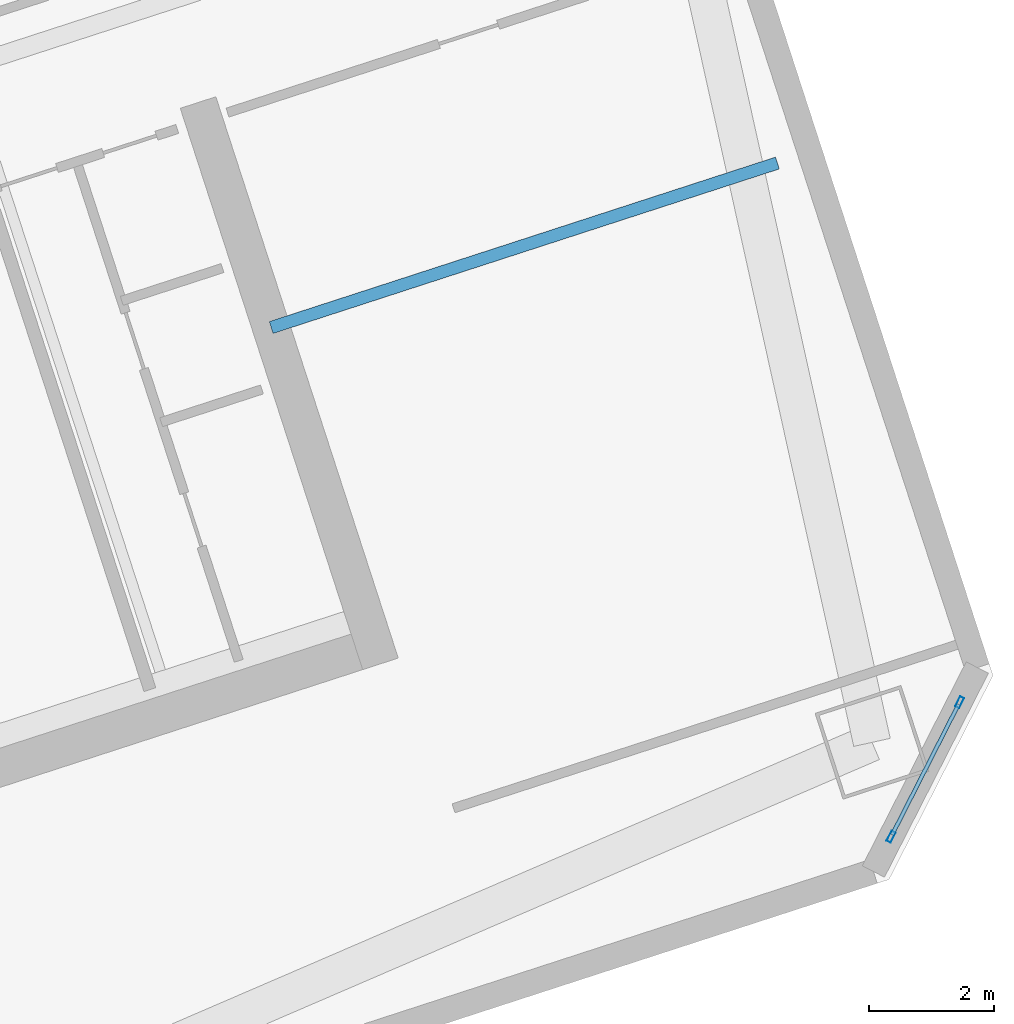
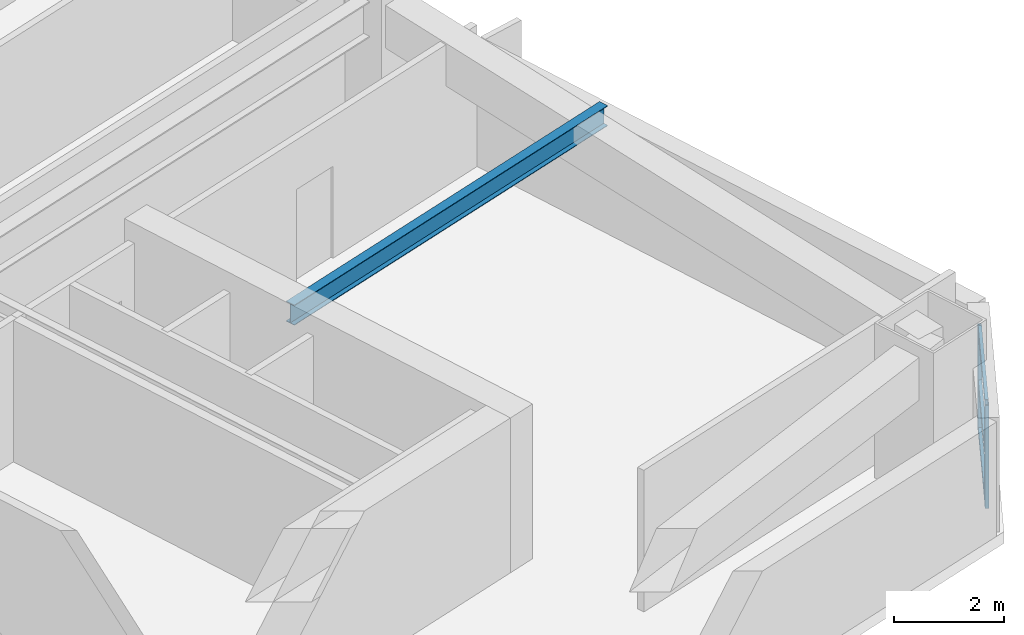
# One storey, part 9 of 23: 5 members, 1 beam, 1 element without a shape of its own.
"""IFC4 building model written with IfcOpenShell, lengths in metres."""

from ifc_helpers import new_model, si_unit, direction, frame, origin, origin_2d, place, context, subcontext, project, spatial, hollow_rectangle, i_section, extrude, material, layer, layer_set, material_profile, profile_set, type_object, element, aggregate, save


model = new_model("IFC4")

# Units and contexts
model_context = context("Model", 3, precision=1e-05, world=origin(), true_north=direction((0.0, 1.0)))
body_context = subcontext(model_context, "Body", "Model", "MODEL_VIEW")
ifc_project = project(units=[si_unit("LENGTHUNIT", "METRE"), si_unit("AREAUNIT", "SQUARE_METRE"), si_unit("VOLUMEUNIT", "CUBIC_METRE"), si_unit("PLANEANGLEUNIT", "RADIAN"), si_unit("MASSUNIT", "GRAM", prefix="KILO")], contexts=[model_context])

# Site, building, storey
site_placement = place(None, origin())
site = spatial("IfcSite", under=ifc_project, at=site_placement, CompositionType="ELEMENT")
building_placement = place(site_placement, origin())
building = spatial("IfcBuilding", under=site, at=building_placement, Name="Qiaolan Cultural Towers", CompositionType="ELEMENT")
storey_placement = place(building_placement, frame((0.0, 0.0, 100.050048828125)))
storey = spatial("IfcBuildingStorey", under=building, at=storey_placement, Name="L25", CompositionType="ELEMENT", Elevation=100.050048828125)

# Beam
ifc_material_1 = material(Name="Steel Q355B", Category="steel")
ifc_material_profile_1 = material_profile(ifc_material_1, i_section(OverallWidth=0.199951171875, OverallDepth=0.449951171875, WebThickness=0.009033203125, FlangeThickness=0.013916015625, at=origin_2d()), Name="HN450x200x9x14")
ifc_profile_set_1 = profile_set([ifc_material_profile_1], Name="Steel Q355B")
beam_type = type_object("IfcBeamType", Name="BM-LNT-HN450x200x9x14", PredefinedType="LINTEL", material=ifc_profile_set_1)
beam_placement = place(storey_placement, frame((102.279296875, 22.74365234375, 2.96484375), z_axis=(0.951057358187, 0.309014403287, 0.0), x_axis=(-0.309014403287, 0.951057358187, 0.0)))
element("IfcBeam", 1, at=beam_placement, inside=storey, type_object=beam_type, Name="L25 T2 Core Flank Tie Lintel ES", PredefinedType="LINTEL", context=body_context, shape_type="SweptSolid", body=[
    extrude(i_section(OverallWidth=0.199951171875, OverallDepth=0.449951171875, WebThickness=0.009033203125, FlangeThickness=0.013916015625, at=origin_2d()), origin(), (0.0, 0.0, 1.0), 8.550048828125),
])

# Curtain wall, members
ifc_material_2 = material(Name="Unitized Anodized Aluminium Curtain Wall System", Category="aluminium")
ifc_layer = layer(ifc_material_2, 0.199951171875)
ifc_layer_set = layer_set([ifc_layer], Name="Unitized Anodized Aluminium Curtain Wall System")
curtain_wall_type = type_object("IfcCurtainWallType", Name="CWS-03", PredefinedType="NOTDEFINED", material=ifc_layer_set)
curtain_wall_placement = place(storey_placement, origin())
curtain_wall = element("IfcCurtainWall", 2, at=curtain_wall_placement, inside=storey, type_object=curtain_wall_type, Name="L25 T2 Chamfer Wind-Corner Feature Curtain Wall 2", PredefinedType="NOTDEFINED")
ifc_material_3 = material(Name="Extruded Aluminium 6063-T6", Category="aluminium")
ifc_material_profile_2 = material_profile(ifc_material_3, hollow_rectangle(XDim=0.074951171875, YDim=0.179931640625, WallThickness=0.00390625, at=origin_2d()), Name="CWM-180x75x4")
ifc_profile_set_2 = profile_set([ifc_material_profile_2], Name="Extruded Aluminium 6063-T6")
member_type_1 = type_object("IfcMemberType", Name="CWS-03-MUL", PredefinedType="MULLION", material=ifc_profile_set_2)
member_1_placement = place(storey_placement, frame((113.33837890625, 16.723876953125, 0.14990234375), z_axis=(0.0, 0.0, 1.0), x_axis=(0.891006262447, -0.453991013436, 0.0)))
member_1 = element("IfcMember", 3, at=member_1_placement, type_object=member_type_1, Name="CW-3 mullion 1", PredefinedType="MULLION", context=body_context, shape_type="SweptSolid", body=[
    extrude(hollow_rectangle(XDim=0.074951171875, YDim=0.179931640625, WallThickness=0.00390625, at=origin_2d()), origin(), (0.0, 0.0, 1.0), 2.300048828125),
])
member_2_placement = place(storey_placement, frame((112.2373046875, 14.56298828125, 0.14990234375), z_axis=(0.0, 0.0, 1.0), x_axis=(0.891006262447, -0.453991013436, 0.0)))
member_2 = element("IfcMember", 4, at=member_2_placement, type_object=member_type_1, Name="CW-3 mullion 2", PredefinedType="MULLION", context=body_context, shape_type="SweptSolid", body=[
    extrude(hollow_rectangle(XDim=0.074951171875, YDim=0.179931640625, WallThickness=0.00390625, at=origin_2d()), origin(), (0.0, 0.0, 1.0), 2.300048828125),
])
ifc_material_4 = material(Name="Extruded Aluminium 6063-T6", Category="aluminium")
ifc_material_profile_3 = material_profile(ifc_material_4, hollow_rectangle(XDim=0.06494140625, YDim=0.14990234375, WallThickness=0.00390625, at=origin_2d()), Name="CWT-150x65x4")
ifc_profile_set_3 = profile_set([ifc_material_profile_3], Name="Extruded Aluminium 6063-T6")
member_type_2 = type_object("IfcMemberType", Name="CWS-03-TRN", PredefinedType="USERDEFINED", material=ifc_profile_set_3)
member_3_placement = place(storey_placement, frame((113.3212890625, 16.6904296875, 0.182373046875), z_axis=(-0.453932005663, -0.89103632599, 0.0), x_axis=(0.89103632599, -0.453932005663, 0.0)))
member_3 = element("IfcMember", 5, at=member_3_placement, type_object=member_type_2, Name="CW-3 transom 1.1", ObjectType="TRANSOM", PredefinedType="USERDEFINED", context=body_context, shape_type="SweptSolid", body=[
    extrude(hollow_rectangle(XDim=0.06494140625, YDim=0.14990234375, WallThickness=0.00390625, at=origin_2d()), origin(), (0.0, 0.0, 1.0), 2.350341796875),
])
member_4_placement = place(storey_placement, frame((113.3212890625, 16.6904296875, 1.25), z_axis=(-0.453932005663, -0.89103632599, 0.0), x_axis=(0.89103632599, -0.453932005663, 0.0)))
member_4 = element("IfcMember", 6, at=member_4_placement, type_object=member_type_2, Name="CW-3 transom 1.2", ObjectType="TRANSOM", PredefinedType="USERDEFINED", context=body_context, shape_type="SweptSolid", body=[
    extrude(hollow_rectangle(XDim=0.06494140625, YDim=0.14990234375, WallThickness=0.00390625, at=origin_2d()), origin(), (0.0, 0.0, 1.0), 2.350341796875),
])
member_5_placement = place(storey_placement, frame((113.3212890625, 16.6904296875, 2.41748046875), z_axis=(-0.453932005663, -0.89103632599, 0.0), x_axis=(0.89103632599, -0.453932005663, 0.0)))
member_5 = element("IfcMember", 7, at=member_5_placement, type_object=member_type_2, Name="CW-3 transom 1.3", ObjectType="TRANSOM", PredefinedType="USERDEFINED", context=body_context, shape_type="SweptSolid", body=[
    extrude(hollow_rectangle(XDim=0.06494140625, YDim=0.14990234375, WallThickness=0.00390625, at=origin_2d()), origin(), (0.0, 0.0, 1.0), 2.350341796875),
])
aggregate(curtain_wall, [member_1, member_2, member_3, member_4, member_5])

save(model, "model.ifc")
